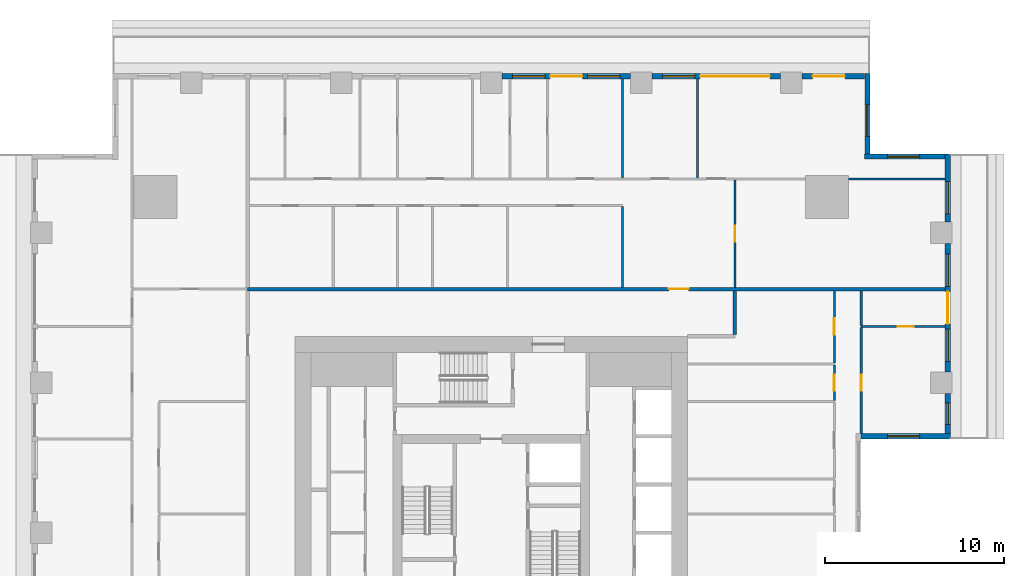
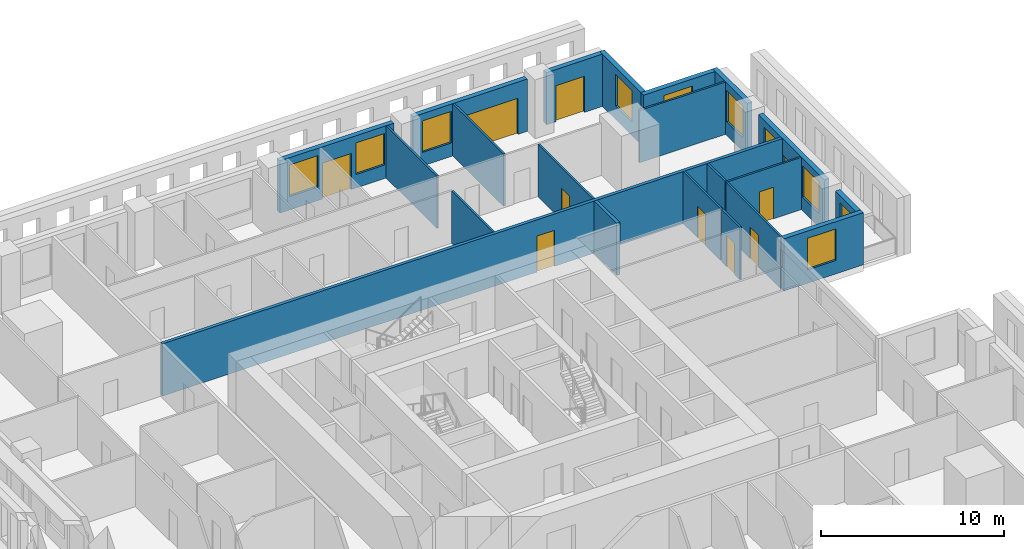
# One storey, part 8 of 15: 21 walls, 10 doors, 10 windows, 20 openings.
"""IFC4 building model written with IfcOpenShell, lengths in metres."""

from ifc_helpers import new_model, si_unit, direction, frame, frame_2d, origin, place, context, subcontext, project, spatial, rectangle, extrude, material, layer, layer_set, type_object, element, fill, save


model = new_model("IFC4")

# Units and contexts
model_context = context("Model", 3, precision=1e-05, world=origin(), true_north=direction((0.0, 1.0)))
body_context = subcontext(model_context, "Body", "Model", "MODEL_VIEW")
ifc_project = project(units=[si_unit("LENGTHUNIT", "METRE"), si_unit("AREAUNIT", "SQUARE_METRE"), si_unit("VOLUMEUNIT", "CUBIC_METRE"), si_unit("PLANEANGLEUNIT", "RADIAN"), si_unit("MASSUNIT", "GRAM", prefix="KILO")], contexts=[model_context])

# Site, building, storey
site_placement = place(None, origin())
site = spatial("IfcSite", under=ifc_project, at=site_placement, CompositionType="ELEMENT")
building_placement = place(site_placement, origin())
building = spatial("IfcBuilding", under=site, at=building_placement, Name="Khepri Terraces", CompositionType="ELEMENT")
storey_placement = place(building_placement, frame((0.0, 0.0, 200.10009765625)))
storey = spatial("IfcBuildingStorey", under=building, at=storey_placement, Name="L47", CompositionType="ELEMENT", Elevation=200.10009765625)

# Wall
ifc_material_1 = material(Name="Fire-rated gypsum plasterboard partition, mineral wool")
ifc_layer_1 = layer(ifc_material_1, 0.199951171875, Name="Fire-rated gypsum plasterboard partition, mineral wool")
ifc_layer_set_1 = layer_set([ifc_layer_1], Name="Fire-rated gypsum plasterboard partition, mineral wool")
wall_type_1 = type_object("IfcWallType", Name="WL-CORR-200", PredefinedType="PARTITIONING", material=ifc_layer_set_1)
wall_1_placement = place(storey_placement, frame((13.64990234375, 11.10009765625, 0.0), z_axis=(0.0, 0.0, 1.0), x_axis=(0.0, 1.0, 0.0)))
element("IfcWall", 1, at=wall_1_placement, inside=storey, type_object=wall_type_1, Name="Partition P-063 L47", PredefinedType="PARTITIONING", context=body_context, shape_type="SweptSolid", body=[
    extrude(rectangle(XDim=2.449951171875, YDim=0.199951171875, at=frame_2d((1.22509765625, 0.0))), origin(), (0.0, 0.0, 1.0), 3.47998046875),
])

# Wall, opening, door
wall_2_placement = place(storey_placement, frame((-13.64990234375, 13.64990234375, 0.0), z_axis=(0.0, 0.0, 1.0), x_axis=(1.0, 0.0, 0.0)))
wall_2 = element("IfcWall", 2, at=wall_2_placement, inside=storey, type_object=wall_type_1, Name="Partition P-069 L47", PredefinedType="PARTITIONING", context=body_context, shape_type="SweptSolid", body=[
    extrude(rectangle(XDim=39.06982421875, YDim=0.199951171875, at=frame_2d((19.534912109375, 0.0))), origin(), (0.0, 0.0, 1.0), 3.47998046875),
])
opening_1_placement = place(wall_2_placement, frame((23.60009765625, 0.0, 0.0)))
opening_1 = element("IfcOpeningElement", 3, at=opening_1_placement, cuts=wall_2, Name="Opening D1", PredefinedType="OPENING", context=body_context, shape_type="SweptSolid", body=[
    extrude(rectangle(XDim=1.10009765625, YDim=2.39990234375, at=frame_2d((0.550048828125, 1.199951171875))), frame((0.0, 0.10986328125, 0.0), z_axis=(0.0, -1.0, 0.0), x_axis=(1.0, 0.0, 0.0)), (0.0, 0.0, 1.0), 0.219970703125),
])
ifc_material_2 = material(Name="Solid-core timber door leaf, flat entrance door", Category="wood")
door_type_1 = type_object("IfcDoorType", Name="DR-ENT-1100", OperationType="NOTDEFINED", PredefinedType="DOOR", material=ifc_material_2)
door_1_placement = place(opening_1_placement, origin())
door_1 = element("IfcDoor", 4, at=door_1_placement, inside=storey, type_object=door_type_1, Name="Flat C1 entrance door", OperationType="SINGLE_SWING_RIGHT", OverallHeight=2.39990234375, OverallWidth=1.10009765625, PredefinedType="DOOR", context=body_context, shape_type="SweptSolid", body=[
    extrude(rectangle(XDim=1.10009765625, YDim=2.39990234375, at=frame_2d((0.550048828125, 1.199951171875))), frame((0.0, 0.02490234375, 0.0), z_axis=(0.0, -1.0, 0.0), x_axis=(1.0, 0.0, 0.0)), (0.0, 0.0, 1.0), 0.050048828125),
])
fill(opening_1, door_1)

# Wall, opening, window
ifc_material_3 = material(Name="Precast concrete C50/60 warm stone", Category="masonry")
ifc_layer_2 = layer(ifc_material_3, 0.300048828125, Name="Precast concrete C50/60 warm stone", Category="masonry")
ifc_layer_set_2 = layer_set([ifc_layer_2], Name="Precast concrete C50/60 warm stone")
wall_type_2 = type_object("IfcWallType", Name="WL-EXT-PRECAST-300", PredefinedType="STANDARD", material=ifc_layer_set_2)
wall_3_placement = place(storey_placement, frame((20.719970703125, 5.39990234375, 0.0), z_axis=(0.0, 0.0, 1.0), x_axis=(1.0, 0.0, 0.0)))
wall_3 = element("IfcWall", 5, at=wall_3_placement, inside=storey, type_object=wall_type_2, Name="External wall L47 S", PredefinedType="STANDARD", context=body_context, shape_type="SweptSolid", body=[
    extrude(rectangle(XDim=5.0, YDim=0.300048828125, at=frame_2d((2.5, 0.0))), origin(), (0.0, 0.0, 1.0), 3.47998046875),
])
opening_2_placement = place(wall_3_placement, frame((1.47998046875, 0.0, 0.89990234375)))
opening_2 = element("IfcOpeningElement", 6, at=opening_2_placement, cuts=wall_3, Name="Opening W1", PredefinedType="OPENING", context=body_context, shape_type="SweptSolid", body=[
    extrude(rectangle(XDim=1.800048828125, YDim=2.10009765625, at=frame_2d((0.89990234375, 1.050048828125))), frame((0.0, 0.16015625, 0.0), z_axis=(0.0, -1.0, 0.0), x_axis=(1.0, 0.0, 0.0)), (0.0, 0.0, 1.0), 0.320068359375),
])
ifc_material_4 = material(Name="Clear glass", Category="glass")
window_type_1 = type_object("IfcWindowType", Name="WIN-RES-1800x2100", PartitioningType="SINGLE_PANEL", PredefinedType="WINDOW", material=ifc_material_4)
window_1_placement = place(opening_2_placement, origin())
window_1 = element("IfcWindow", 7, at=window_1_placement, inside=storey, type_object=window_type_1, Name="Window L47 S", OverallHeight=2.10009765625, OverallWidth=1.800048828125, PartitioningType="SINGLE_PANEL", PredefinedType="WINDOW", context=body_context, shape_type="SweptSolid", body=[
    extrude(rectangle(XDim=1.800048828125, YDim=2.10009765625, at=frame_2d((0.89990234375, 1.050048828125))), frame((0.0, 0.030029296875, 0.0), z_axis=(0.0, -1.0, 0.0), x_axis=(1.0, 0.0, 0.0)), (0.0, 0.0, 1.0), 0.06005859375),
])
fill(opening_2, window_1)

wall_4_placement = place(storey_placement, frame((25.570068359375, 5.550048828125, 0.0), z_axis=(0.0, 0.0, 1.0), x_axis=(0.0, 1.0, 0.0)))
wall_4 = element("IfcWall", 8, at=wall_4_placement, inside=storey, type_object=wall_type_2, Name="External wall L47 E", PredefinedType="STANDARD", context=body_context, shape_type="SweptSolid", body=[
    extrude(rectangle(XDim=2.25, YDim=0.300048828125, at=frame_2d((1.125, 0.0))), origin(), (0.0, 0.0, 1.0), 3.47998046875),
])
opening_3_placement = place(wall_4_placement, frame((0.52490234375, 0.0, 0.89990234375)))
opening_3 = element("IfcOpeningElement", 9, at=opening_3_placement, cuts=wall_4, Name="Opening W4", PredefinedType="OPENING", context=body_context, shape_type="SweptSolid", body=[
    extrude(rectangle(XDim=1.199951171875, YDim=2.10009765625, at=frame_2d((0.60009765625, 1.050048828125))), frame((0.0, 0.16015625, 0.0), z_axis=(0.0, -1.0, 0.0), x_axis=(1.0, 0.0, 0.0)), (0.0, 0.0, 1.0), 0.320068359375),
])
window_type_2 = type_object("IfcWindowType", Name="WIN-RES-1200x2100", PartitioningType="SINGLE_PANEL", PredefinedType="WINDOW", material=ifc_material_4)
window_2_placement = place(opening_3_placement, origin())
window_2 = element("IfcWindow", 10, at=window_2_placement, inside=storey, type_object=window_type_2, Name="Window L47 E", OverallHeight=2.10009765625, OverallWidth=1.199951171875, PartitioningType="SINGLE_PANEL", PredefinedType="WINDOW", context=body_context, shape_type="SweptSolid", body=[
    extrude(rectangle(XDim=1.199951171875, YDim=2.10009765625, at=frame_2d((0.60009765625, 1.050048828125))), frame((0.0, 0.030029296875, 0.0), z_axis=(0.0, -1.0, 0.0), x_axis=(1.0, 0.0, 0.0)), (0.0, 0.0, 1.0), 0.06005859375),
])
fill(opening_3, window_2)

# Wall, openings, door, windows
wall_5_placement = place(storey_placement, frame((25.570068359375, 9.0, 0.0), z_axis=(0.0, 0.0, 1.0), x_axis=(0.0, 1.0, 0.0)))
wall_5 = element("IfcWall", 11, at=wall_5_placement, inside=storey, type_object=wall_type_2, Name="External wall L47 E", PredefinedType="STANDARD", context=body_context, shape_type="SweptSolid", body=[
    extrude(rectangle(XDim=7.199951171875, YDim=0.300048828125, at=frame_2d((3.60009765625, 0.0))), origin(), (0.0, 0.0, 1.0), 3.47998046875),
])
opening_4_placement = place(wall_5_placement, frame((0.60009765625, 0.0, 0.89990234375)))
opening_4 = element("IfcOpeningElement", 12, at=opening_4_placement, cuts=wall_5, Name="Opening W1", PredefinedType="OPENING", context=body_context, shape_type="SweptSolid", body=[
    extrude(rectangle(XDim=1.800048828125, YDim=2.10009765625, at=frame_2d((0.89990234375, 1.050048828125))), frame((0.0, 0.16015625, 0.0), z_axis=(0.0, -1.0, 0.0), x_axis=(1.0, 0.0, 0.0)), (0.0, 0.0, 1.0), 0.320068359375),
])
opening_5_placement = place(wall_5_placement, frame((2.699951171875, 0.0, 0.0)))
opening_5 = element("IfcOpeningElement", 13, at=opening_5_placement, cuts=wall_5, Name="Opening ED-L47-05", PredefinedType="OPENING", context=body_context, shape_type="SweptSolid", body=[
    extrude(rectangle(XDim=1.800048828125, YDim=2.39990234375, at=frame_2d((0.89990234375, 1.199951171875))), frame((0.0, 0.16015625, 0.0), z_axis=(0.0, -1.0, 0.0), x_axis=(1.0, 0.0, 0.0)), (0.0, 0.0, 1.0), 0.320068359375),
])
opening_6_placement = place(wall_5_placement, frame((4.800048828125, 0.0, 0.89990234375)))
opening_6 = element("IfcOpeningElement", 14, at=opening_6_placement, cuts=wall_5, Name="Opening W1", PredefinedType="OPENING", context=body_context, shape_type="SweptSolid", body=[
    extrude(rectangle(XDim=1.800048828125, YDim=2.10009765625, at=frame_2d((0.89990234375, 1.050048828125))), frame((0.0, 0.16015625, 0.0), z_axis=(0.0, -1.0, 0.0), x_axis=(1.0, 0.0, 0.0)), (0.0, 0.0, 1.0), 0.320068359375),
])
ifc_material_5 = material(Name="Anodised aluminium bronze glazed door", Category="aluminium")
door_type_2 = type_object("IfcDoorType", Name="DR-BAL-SLIDE-1800x2400", OperationType="NOTDEFINED", PredefinedType="DOOR", material=ifc_material_5)
door_2_placement = place(opening_5_placement, origin())
door_2 = element("IfcDoor", 15, at=door_2_placement, inside=storey, type_object=door_type_2, Name="Balcony door L47 E", OperationType="SLIDING_TO_RIGHT", OverallHeight=2.39990234375, OverallWidth=1.800048828125, PredefinedType="DOOR", context=body_context, shape_type="SweptSolid", body=[
    extrude(rectangle(XDim=1.800048828125, YDim=2.39990234375, at=frame_2d((0.89990234375, 1.199951171875))), frame((0.0, 0.02490234375, 0.0), z_axis=(0.0, -1.0, 0.0), x_axis=(1.0, 0.0, 0.0)), (0.0, 0.0, 1.0), 0.050048828125),
])
fill(opening_5, door_2)
window_3_placement = place(opening_4_placement, origin())
window_3 = element("IfcWindow", 16, at=window_3_placement, inside=storey, type_object=window_type_1, Name="Window L47 E", OverallHeight=2.10009765625, OverallWidth=1.800048828125, PartitioningType="SINGLE_PANEL", PredefinedType="WINDOW", context=body_context, shape_type="SweptSolid", body=[
    extrude(rectangle(XDim=1.800048828125, YDim=2.10009765625, at=frame_2d((0.89990234375, 1.050048828125))), frame((0.0, 0.030029296875, 0.0), z_axis=(0.0, -1.0, 0.0), x_axis=(1.0, 0.0, 0.0)), (0.0, 0.0, 1.0), 0.06005859375),
])
fill(opening_4, window_3)
window_4_placement = place(opening_6_placement, origin())
window_4 = element("IfcWindow", 17, at=window_4_placement, inside=storey, type_object=window_type_1, Name="Window L47 E", OverallHeight=2.10009765625, OverallWidth=1.800048828125, PartitioningType="SINGLE_PANEL", PredefinedType="WINDOW", context=body_context, shape_type="SweptSolid", body=[
    extrude(rectangle(XDim=1.800048828125, YDim=2.10009765625, at=frame_2d((0.89990234375, 1.050048828125))), frame((0.0, 0.030029296875, 0.0), z_axis=(0.0, -1.0, 0.0), x_axis=(1.0, 0.0, 0.0)), (0.0, 0.0, 1.0), 0.06005859375),
])
fill(opening_6, window_4)

# Wall, opening, window
wall_6_placement = place(storey_placement, frame((25.570068359375, 17.39990234375, 0.0), z_axis=(0.0, 0.0, 1.0), x_axis=(0.0, 1.0, 0.0)))
wall_6 = element("IfcWall", 18, at=wall_6_placement, inside=storey, type_object=wall_type_2, Name="External wall L47 E", PredefinedType="STANDARD", context=body_context, shape_type="SweptSolid", body=[
    extrude(rectangle(XDim=3.820068359375, YDim=0.300048828125, at=frame_2d((1.91015625, 0.0))), origin(), (0.0, 0.0, 1.0), 3.47998046875),
])
opening_7_placement = place(wall_6_placement, frame((0.4599609375, 0.0, 0.89990234375)))
opening_7 = element("IfcOpeningElement", 19, at=opening_7_placement, cuts=wall_6, Name="Opening W1", PredefinedType="OPENING", context=body_context, shape_type="SweptSolid", body=[
    extrude(rectangle(XDim=1.800048828125, YDim=2.10009765625, at=frame_2d((0.89990234375, 1.050048828125))), frame((0.0, 0.16015625, 0.0), z_axis=(0.0, -1.0, 0.0), x_axis=(1.0, 0.0, 0.0)), (0.0, 0.0, 1.0), 0.320068359375),
])
window_5_placement = place(opening_7_placement, origin())
window_5 = element("IfcWindow", 20, at=window_5_placement, inside=storey, type_object=window_type_1, Name="Window L47 E", OverallHeight=2.10009765625, OverallWidth=1.800048828125, PartitioningType="SINGLE_PANEL", PredefinedType="WINDOW", context=body_context, shape_type="SweptSolid", body=[
    extrude(rectangle(XDim=1.800048828125, YDim=2.10009765625, at=frame_2d((0.89990234375, 1.050048828125))), frame((0.0, 0.030029296875, 0.0), z_axis=(0.0, -1.0, 0.0), x_axis=(1.0, 0.0, 0.0)), (0.0, 0.0, 1.0), 0.06005859375),
])
fill(opening_7, window_5)

wall_7_placement = place(storey_placement, frame((25.419921875, 21.070068359375, 0.0), z_axis=(0.0, 0.0, 1.0), x_axis=(-1.0, 0.0, 0.0)))
wall_7 = element("IfcWall", 21, at=wall_7_placement, inside=storey, type_object=wall_type_2, Name="External wall L47 N", PredefinedType="STANDARD", context=body_context, shape_type="SweptSolid", body=[
    extrude(rectangle(XDim=4.5, YDim=0.300048828125, at=frame_2d((2.25, 0.0))), origin(), (0.0, 0.0, 1.0), 3.47998046875),
])
opening_8_placement = place(wall_7_placement, frame((1.419921875, 0.0, 0.89990234375)))
opening_8 = element("IfcOpeningElement", 22, at=opening_8_placement, cuts=wall_7, Name="Opening W1", PredefinedType="OPENING", context=body_context, shape_type="SweptSolid", body=[
    extrude(rectangle(XDim=1.800048828125, YDim=2.10009765625, at=frame_2d((0.89990234375, 1.050048828125))), frame((0.0, 0.16015625, 0.0), z_axis=(0.0, -1.0, 0.0), x_axis=(1.0, 0.0, 0.0)), (0.0, 0.0, 1.0), 0.320068359375),
])
window_6_placement = place(opening_8_placement, origin())
window_6 = element("IfcWindow", 23, at=window_6_placement, inside=storey, type_object=window_type_1, Name="Window L47 N", OverallHeight=2.10009765625, OverallWidth=1.800048828125, PartitioningType="SINGLE_PANEL", PredefinedType="WINDOW", context=body_context, shape_type="SweptSolid", body=[
    extrude(rectangle(XDim=1.800048828125, YDim=2.10009765625, at=frame_2d((0.89990234375, 1.050048828125))), frame((0.0, 0.030029296875, 0.0), z_axis=(0.0, -1.0, 0.0), x_axis=(1.0, 0.0, 0.0)), (0.0, 0.0, 1.0), 0.06005859375),
])
fill(opening_8, window_6)

wall_8_placement = place(storey_placement, frame((21.070068359375, 21.219970703125, 0.0), z_axis=(0.0, 0.0, 1.0), x_axis=(0.0, 1.0, 0.0)))
wall_8 = element("IfcWall", 24, at=wall_8_placement, inside=storey, type_object=wall_type_2, Name="External wall L47 E", PredefinedType="STANDARD", context=body_context, shape_type="SweptSolid", body=[
    extrude(rectangle(XDim=4.5, YDim=0.300048828125, at=frame_2d((2.25, 0.0))), origin(), (0.0, 0.0, 1.0), 3.47998046875),
])
opening_9_placement = place(wall_8_placement, frame((0.97998046875, 0.0, 0.89990234375)))
opening_9 = element("IfcOpeningElement", 25, at=opening_9_placement, cuts=wall_8, Name="Opening W1", PredefinedType="OPENING", context=body_context, shape_type="SweptSolid", body=[
    extrude(rectangle(XDim=1.800048828125, YDim=2.10009765625, at=frame_2d((0.89990234375, 1.050048828125))), frame((0.0, 0.16015625, 0.0), z_axis=(0.0, -1.0, 0.0), x_axis=(1.0, 0.0, 0.0)), (0.0, 0.0, 1.0), 0.320068359375),
])
window_7_placement = place(opening_9_placement, origin())
window_7 = element("IfcWindow", 26, at=window_7_placement, inside=storey, type_object=window_type_1, Name="Window L47 E", OverallHeight=2.10009765625, OverallWidth=1.800048828125, PartitioningType="SINGLE_PANEL", PredefinedType="WINDOW", context=body_context, shape_type="SweptSolid", body=[
    extrude(rectangle(XDim=1.800048828125, YDim=2.10009765625, at=frame_2d((0.89990234375, 1.050048828125))), frame((0.0, 0.030029296875, 0.0), z_axis=(0.0, -1.0, 0.0), x_axis=(1.0, 0.0, 0.0)), (0.0, 0.0, 1.0), 0.06005859375),
])
fill(opening_9, window_7)

# Wall, opening, door
wall_9_placement = place(storey_placement, frame((20.919921875, 25.570068359375, 0.0), z_axis=(0.0, 0.0, 1.0), x_axis=(-1.0, 0.0, 0.0)))
wall_9 = element("IfcWall", 27, at=wall_9_placement, inside=storey, type_object=wall_type_2, Name="External wall L47 N", PredefinedType="STANDARD", context=body_context, shape_type="SweptSolid", body=[
    extrude(rectangle(XDim=3.52001953125, YDim=0.300048828125, at=frame_2d((1.760009765625, 0.0))), origin(), (0.0, 0.0, 1.0), 3.47998046875),
])
opening_10_placement = place(wall_9_placement, frame((1.1201171875, 0.0, 0.0)))
opening_10 = element("IfcOpeningElement", 28, at=opening_10_placement, cuts=wall_9, Name="Opening ED-L47-06", PredefinedType="OPENING", context=body_context, shape_type="SweptSolid", body=[
    extrude(rectangle(XDim=1.800048828125, YDim=2.39990234375, at=frame_2d((0.89990234375, 1.199951171875))), frame((0.0, 0.16015625, 0.0), z_axis=(0.0, -1.0, 0.0), x_axis=(1.0, 0.0, 0.0)), (0.0, 0.0, 1.0), 0.320068359375),
])
door_3_placement = place(opening_10_placement, origin())
door_3 = element("IfcDoor", 29, at=door_3_placement, inside=storey, type_object=door_type_2, Name="Balcony door L47 N", OperationType="SLIDING_TO_RIGHT", OverallHeight=2.39990234375, OverallWidth=1.800048828125, PredefinedType="DOOR", context=body_context, shape_type="SweptSolid", body=[
    extrude(rectangle(XDim=1.800048828125, YDim=2.39990234375, at=frame_2d((0.89990234375, 1.199951171875))), frame((0.0, 0.02490234375, 0.0), z_axis=(0.0, -1.0, 0.0), x_axis=(1.0, 0.0, 0.0)), (0.0, 0.0, 1.0), 0.050048828125),
])
fill(opening_10, door_3)

# Wall, openings, door, window
wall_10_placement = place(storey_placement, frame((16.199951171875, 25.570068359375, 0.0), z_axis=(0.0, 0.0, 1.0), x_axis=(-1.0, 0.0, 0.0)))
wall_10 = element("IfcWall", 30, at=wall_10_placement, inside=storey, type_object=wall_type_2, Name="External wall L47 N", PredefinedType="STANDARD", context=body_context, shape_type="SweptSolid", body=[
    extrude(rectangle(XDim=7.199951171875, YDim=0.300048828125, at=frame_2d((3.60009765625, 0.0))), origin(), (0.0, 0.0, 1.0), 3.47998046875),
])
opening_11_placement = place(wall_10_placement, frame((0.60009765625, 0.0, 0.0)))
opening_11 = element("IfcOpeningElement", 31, at=opening_11_placement, cuts=wall_10, Name="Opening ED-L47-07", PredefinedType="OPENING", context=body_context, shape_type="SweptSolid", body=[
    extrude(rectangle(XDim=3.89990234375, YDim=2.39990234375, at=frame_2d((1.949951171875, 1.199951171875))), frame((0.0, 0.16015625, 0.0), z_axis=(0.0, -1.0, 0.0), x_axis=(1.0, 0.0, 0.0)), (0.0, 0.0, 1.0), 0.320068359375),
])
opening_12_placement = place(wall_10_placement, frame((4.800048828125, 0.0, 0.89990234375)))
opening_12 = element("IfcOpeningElement", 32, at=opening_12_placement, cuts=wall_10, Name="Opening W1", PredefinedType="OPENING", context=body_context, shape_type="SweptSolid", body=[
    extrude(rectangle(XDim=1.800048828125, YDim=2.10009765625, at=frame_2d((0.89990234375, 1.050048828125))), frame((0.0, 0.16015625, 0.0), z_axis=(0.0, -1.0, 0.0), x_axis=(1.0, 0.0, 0.0)), (0.0, 0.0, 1.0), 0.320068359375),
])
door_type_3 = type_object("IfcDoorType", Name="DR-BAL-SLIDE-3900x2400", OperationType="NOTDEFINED", PredefinedType="DOOR", material=ifc_material_5)
door_4_placement = place(opening_11_placement, origin())
door_4 = element("IfcDoor", 33, at=door_4_placement, inside=storey, type_object=door_type_3, Name="Balcony door L47 N", OperationType="SLIDING_TO_LEFT", OverallHeight=2.39990234375, OverallWidth=3.89990234375, PredefinedType="DOOR", context=body_context, shape_type="SweptSolid", body=[
    extrude(rectangle(XDim=3.89990234375, YDim=2.39990234375, at=frame_2d((1.949951171875, 1.199951171875))), frame((0.0, 0.02490234375, 0.0), z_axis=(0.0, -1.0, 0.0), x_axis=(1.0, 0.0, 0.0)), (0.0, 0.0, 1.0), 0.050048828125),
])
fill(opening_11, door_4)
window_8_placement = place(opening_12_placement, origin())
window_8 = element("IfcWindow", 34, at=window_8_placement, inside=storey, type_object=window_type_1, Name="Window L47 N", OverallHeight=2.10009765625, OverallWidth=1.800048828125, PartitioningType="SINGLE_PANEL", PredefinedType="WINDOW", context=body_context, shape_type="SweptSolid", body=[
    extrude(rectangle(XDim=1.800048828125, YDim=2.10009765625, at=frame_2d((0.89990234375, 1.050048828125))), frame((0.0, 0.030029296875, 0.0), z_axis=(0.0, -1.0, 0.0), x_axis=(1.0, 0.0, 0.0)), (0.0, 0.0, 1.0), 0.06005859375),
])
fill(opening_12, window_8)

# Wall, openings, door, windows
wall_11_placement = place(storey_placement, frame((7.800048828125, 25.570068359375, 0.0), z_axis=(0.0, 0.0, 1.0), x_axis=(-1.0, 0.0, 0.0)))
wall_11 = element("IfcWall", 35, at=wall_11_placement, inside=storey, type_object=wall_type_2, Name="External wall L47 N", PredefinedType="STANDARD", context=body_context, shape_type="SweptSolid", body=[
    extrude(rectangle(XDim=7.199951171875, YDim=0.300048828125, at=frame_2d((3.60009765625, 0.0))), origin(), (0.0, 0.0, 1.0), 3.47998046875),
])
opening_13_placement = place(wall_11_placement, frame((0.60009765625, 0.0, 0.89990234375)))
opening_13 = element("IfcOpeningElement", 36, at=opening_13_placement, cuts=wall_11, Name="Opening W1", PredefinedType="OPENING", context=body_context, shape_type="SweptSolid", body=[
    extrude(rectangle(XDim=1.800048828125, YDim=2.10009765625, at=frame_2d((0.89990234375, 1.050048828125))), frame((0.0, 0.16015625, 0.0), z_axis=(0.0, -1.0, 0.0), x_axis=(1.0, 0.0, 0.0)), (0.0, 0.0, 1.0), 0.320068359375),
])
opening_14_placement = place(wall_11_placement, frame((2.699951171875, 0.0, 0.0)))
opening_14 = element("IfcOpeningElement", 37, at=opening_14_placement, cuts=wall_11, Name="Opening ED-L47-08", PredefinedType="OPENING", context=body_context, shape_type="SweptSolid", body=[
    extrude(rectangle(XDim=1.800048828125, YDim=2.39990234375, at=frame_2d((0.89990234375, 1.199951171875))), frame((0.0, 0.16015625, 0.0), z_axis=(0.0, -1.0, 0.0), x_axis=(1.0, 0.0, 0.0)), (0.0, 0.0, 1.0), 0.320068359375),
])
opening_15_placement = place(wall_11_placement, frame((4.800048828125, 0.0, 0.89990234375)))
opening_15 = element("IfcOpeningElement", 38, at=opening_15_placement, cuts=wall_11, Name="Opening W1", PredefinedType="OPENING", context=body_context, shape_type="SweptSolid", body=[
    extrude(rectangle(XDim=1.800048828125, YDim=2.10009765625, at=frame_2d((0.89990234375, 1.050048828125))), frame((0.0, 0.16015625, 0.0), z_axis=(0.0, -1.0, 0.0), x_axis=(1.0, 0.0, 0.0)), (0.0, 0.0, 1.0), 0.320068359375),
])
door_5_placement = place(opening_14_placement, origin())
door_5 = element("IfcDoor", 39, at=door_5_placement, inside=storey, type_object=door_type_2, Name="Balcony door L47 N", OperationType="SLIDING_TO_LEFT", OverallHeight=2.39990234375, OverallWidth=1.800048828125, PredefinedType="DOOR", context=body_context, shape_type="SweptSolid", body=[
    extrude(rectangle(XDim=1.800048828125, YDim=2.39990234375, at=frame_2d((0.89990234375, 1.199951171875))), frame((0.0, 0.02490234375, 0.0), z_axis=(0.0, -1.0, 0.0), x_axis=(1.0, 0.0, 0.0)), (0.0, 0.0, 1.0), 0.050048828125),
])
fill(opening_14, door_5)
window_9_placement = place(opening_13_placement, origin())
window_9 = element("IfcWindow", 40, at=window_9_placement, inside=storey, type_object=window_type_1, Name="Window L47 N", OverallHeight=2.10009765625, OverallWidth=1.800048828125, PartitioningType="SINGLE_PANEL", PredefinedType="WINDOW", context=body_context, shape_type="SweptSolid", body=[
    extrude(rectangle(XDim=1.800048828125, YDim=2.10009765625, at=frame_2d((0.89990234375, 1.050048828125))), frame((0.0, 0.030029296875, 0.0), z_axis=(0.0, -1.0, 0.0), x_axis=(1.0, 0.0, 0.0)), (0.0, 0.0, 1.0), 0.06005859375),
])
fill(opening_13, window_9)
window_10_placement = place(opening_15_placement, origin())
window_10 = element("IfcWindow", 41, at=window_10_placement, inside=storey, type_object=window_type_1, Name="Window L47 N", OverallHeight=2.10009765625, OverallWidth=1.800048828125, PartitioningType="SINGLE_PANEL", PredefinedType="WINDOW", context=body_context, shape_type="SweptSolid", body=[
    extrude(rectangle(XDim=1.800048828125, YDim=2.10009765625, at=frame_2d((0.89990234375, 1.050048828125))), frame((0.0, 0.030029296875, 0.0), z_axis=(0.0, -1.0, 0.0), x_axis=(1.0, 0.0, 0.0)), (0.0, 0.0, 1.0), 0.06005859375),
])
fill(opening_15, window_10)

# Wall, opening, door
ifc_material_6 = material(Name="Gypsum plasterboard partition")
ifc_layer_3 = layer(ifc_material_6, 0.1201171875, Name="Gypsum plasterboard partition")
ifc_layer_set_3 = layer_set([ifc_layer_3], Name="Gypsum plasterboard partition")
wall_type_3 = type_object("IfcWallType", Name="WL-PART-120", PredefinedType="PARTITIONING", material=ifc_layer_set_3)
wall_12_placement = place(storey_placement, frame((20.719970703125, 5.550048828125, 0.0), z_axis=(0.0, 0.0, 1.0), x_axis=(0.0, 1.0, 0.0)))
wall_12 = element("IfcWall", 42, at=wall_12_placement, inside=storey, type_object=wall_type_3, Name="Partition P-055 L47", PredefinedType="PARTITIONING", context=body_context, shape_type="SweptSolid", body=[
    extrude(rectangle(XDim=5.93994140625, YDim=0.1201171875, at=frame_2d((2.969970703125, 0.0))), origin(), (0.0, 0.0, 1.0), 3.47998046875),
])
opening_16_placement = place(wall_12_placement, frame((2.39990234375, 0.0, 0.0)))
opening_16 = element("IfcOpeningElement", 43, at=opening_16_placement, cuts=wall_12, Name="Opening D3", PredefinedType="OPENING", context=body_context, shape_type="SweptSolid", body=[
    extrude(rectangle(XDim=0.89990234375, YDim=2.10009765625, at=frame_2d((0.449951171875, 1.050048828125))), frame((0.0, 0.070068359375, 0.0), z_axis=(0.0, -1.0, 0.0), x_axis=(1.0, 0.0, 0.0)), (0.0, 0.0, 1.0), 0.14013671875),
])
ifc_material_7 = material(Name="Timber door leaf", Category="wood")
door_type_4 = type_object("IfcDoorType", Name="DR-INT-900", OperationType="NOTDEFINED", PredefinedType="DOOR", material=ifc_material_7)
door_6_placement = place(opening_16_placement, frame((0.89990234375, 0.0, 0.0), z_axis=(0.0, 0.0, 1.0), x_axis=(-1.0, 0.0, 0.0)))
door_6 = element("IfcDoor", 44, at=door_6_placement, inside=storey, type_object=door_type_4, Name="Door Bedroom", OperationType="SINGLE_SWING_RIGHT", OverallHeight=2.10009765625, OverallWidth=0.89990234375, PredefinedType="DOOR", context=body_context, shape_type="SweptSolid", body=[
    extrude(rectangle(XDim=0.89990234375, YDim=2.10009765625, at=frame_2d((0.449951171875, 1.050048828125))), frame((0.0, 0.02490234375, 0.0), z_axis=(0.0, -1.0, 0.0), x_axis=(1.0, 0.0, 0.0)), (0.0, 0.0, 1.0), 0.050048828125),
])
fill(opening_16, door_6)

wall_13_placement = place(storey_placement, frame((19.219970703125, 7.409912109375, 0.0), z_axis=(0.0, 0.0, 1.0), x_axis=(0.0, 1.0, 0.0)))
wall_13 = element("IfcWall", 45, at=wall_13_placement, inside=storey, type_object=wall_type_3, Name="Partition P-059 L47", PredefinedType="PARTITIONING", context=body_context, shape_type="SweptSolid", body=[
    extrude(rectangle(XDim=1.97998046875, YDim=0.1201171875, at=frame_2d((0.989990234375, 0.0))), origin(), (0.0, 0.0, 1.0), 3.47998046875),
])
opening_17_placement = place(wall_13_placement, frame((0.5400390625, 0.0, 0.0)))
opening_17 = element("IfcOpeningElement", 46, at=opening_17_placement, cuts=wall_13, Name="Opening D4", PredefinedType="OPENING", context=body_context, shape_type="SweptSolid", body=[
    extrude(rectangle(XDim=0.89990234375, YDim=2.10009765625, at=frame_2d((0.449951171875, 1.050048828125))), frame((0.0, 0.070068359375, 0.0), z_axis=(0.0, -1.0, 0.0), x_axis=(1.0, 0.0, 0.0)), (0.0, 0.0, 1.0), 0.14013671875),
])
ifc_material_8 = material(Name="Timber door leaf, moisture resistant", Category="wood")
door_type_5 = type_object("IfcDoorType", Name="DR-WET-900", OperationType="NOTDEFINED", PredefinedType="DOOR", material=ifc_material_8)
door_7_placement = place(opening_17_placement, origin())
door_7 = element("IfcDoor", 47, at=door_7_placement, inside=storey, type_object=door_type_5, Name="Door Guest Bathroom", OperationType="SINGLE_SWING_LEFT", OverallHeight=2.10009765625, OverallWidth=0.89990234375, PredefinedType="DOOR", context=body_context, shape_type="SweptSolid", body=[
    extrude(rectangle(XDim=0.89990234375, YDim=2.10009765625, at=frame_2d((0.449951171875, 1.050048828125))), frame((0.0, 0.02490234375, 0.0), z_axis=(0.0, -1.0, 0.0), x_axis=(1.0, 0.0, 0.0)), (0.0, 0.0, 1.0), 0.050048828125),
])
fill(opening_17, door_7)

wall_14_placement = place(storey_placement, frame((19.219970703125, 9.510009765625, 0.0), z_axis=(0.0, 0.0, 1.0), x_axis=(0.0, 1.0, 0.0)))
wall_14 = element("IfcWall", 48, at=wall_14_placement, inside=storey, type_object=wall_type_3, Name="Partition P-061 L47", PredefinedType="PARTITIONING", context=body_context, shape_type="SweptSolid", body=[
    extrude(rectangle(XDim=4.0400390625, YDim=0.1201171875, at=frame_2d((2.02001953125, 0.0))), origin(), (0.0, 0.0, 1.0), 3.47998046875),
])
opening_18_placement = place(wall_14_placement, frame((1.590087890625, 0.0, 0.0)))
opening_18 = element("IfcOpeningElement", 49, at=opening_18_placement, cuts=wall_14, Name="Opening D3", PredefinedType="OPENING", context=body_context, shape_type="SweptSolid", body=[
    extrude(rectangle(XDim=0.89990234375, YDim=2.10009765625, at=frame_2d((0.449951171875, 1.050048828125))), frame((0.0, 0.070068359375, 0.0), z_axis=(0.0, -1.0, 0.0), x_axis=(1.0, 0.0, 0.0)), (0.0, 0.0, 1.0), 0.14013671875),
])
door_8_placement = place(opening_18_placement, origin())
door_8 = element("IfcDoor", 50, at=door_8_placement, inside=storey, type_object=door_type_4, Name="Door Library", OperationType="SINGLE_SWING_RIGHT", OverallHeight=2.10009765625, OverallWidth=0.89990234375, PredefinedType="DOOR", context=body_context, shape_type="SweptSolid", body=[
    extrude(rectangle(XDim=0.89990234375, YDim=2.10009765625, at=frame_2d((0.449951171875, 1.050048828125))), frame((0.0, 0.02490234375, 0.0), z_axis=(0.0, -1.0, 0.0), x_axis=(1.0, 0.0, 0.0)), (0.0, 0.0, 1.0), 0.050048828125),
])
fill(opening_18, door_8)

wall_15_placement = place(storey_placement, frame((20.719970703125, 11.550048828125, 0.0), z_axis=(0.0, 0.0, 1.0), x_axis=(1.0, 0.0, 0.0)))
wall_15 = element("IfcWall", 51, at=wall_15_placement, inside=storey, type_object=wall_type_3, Name="Partition P-065 L47", PredefinedType="PARTITIONING", context=body_context, shape_type="SweptSolid", body=[
    extrude(rectangle(XDim=4.699951171875, YDim=0.1201171875, at=frame_2d((2.35009765625, 0.0))), origin(), (0.0, 0.0, 1.0), 3.47998046875),
])
opening_19_placement = place(wall_15_placement, frame((2.050048828125, 0.0, 0.0)))
opening_19 = element("IfcOpeningElement", 52, at=opening_19_placement, cuts=wall_15, Name="Opening D4", PredefinedType="OPENING", context=body_context, shape_type="SweptSolid", body=[
    extrude(rectangle(XDim=0.89990234375, YDim=2.10009765625, at=frame_2d((0.449951171875, 1.050048828125))), frame((0.0, 0.070068359375, 0.0), z_axis=(0.0, -1.0, 0.0), x_axis=(1.0, 0.0, 0.0)), (0.0, 0.0, 1.0), 0.14013671875),
])
door_9_placement = place(opening_19_placement, origin())
door_9 = element("IfcDoor", 53, at=door_9_placement, inside=storey, type_object=door_type_5, Name="Door Bathroom", OperationType="SINGLE_SWING_RIGHT", OverallHeight=2.10009765625, OverallWidth=0.89990234375, PredefinedType="DOOR", context=body_context, shape_type="SweptSolid", body=[
    extrude(rectangle(XDim=0.89990234375, YDim=2.10009765625, at=frame_2d((0.449951171875, 1.050048828125))), frame((0.0, 0.02490234375, 0.0), z_axis=(0.0, -1.0, 0.0), x_axis=(1.0, 0.0, 0.0)), (0.0, 0.0, 1.0), 0.050048828125),
])
fill(opening_19, door_9)

# Walls
wall_16_placement = place(storey_placement, frame((20.719970703125, 11.610107421875, 0.0), z_axis=(0.0, 0.0, 1.0), x_axis=(0.0, 1.0, 0.0)))
element("IfcWall", 54, at=wall_16_placement, inside=storey, type_object=wall_type_3, Name="Partition P-067 L47", PredefinedType="PARTITIONING", context=body_context, shape_type="SweptSolid", body=[
    extrude(rectangle(XDim=1.93994140625, YDim=0.1201171875, at=frame_2d((0.969970703125, 0.0))), origin(), (0.0, 0.0, 1.0), 3.47998046875),
])
wall_17_placement = place(storey_placement, frame((7.35009765625, 13.75, 0.0), z_axis=(0.0, 0.0, 1.0), x_axis=(0.0, 1.0, 0.0)))
element("IfcWall", 55, at=wall_17_placement, inside=storey, type_object=wall_type_3, Name="Partition P-076 L47", PredefinedType="PARTITIONING", context=body_context, shape_type="SweptSolid", body=[
    extrude(rectangle(XDim=4.510009765625, YDim=0.1201171875, at=frame_2d((2.2548828125, 0.0))), origin(), (0.0, 0.0, 1.0), 3.47998046875),
])

# Wall, opening, door
wall_18_placement = place(storey_placement, frame((13.64990234375, 13.75, 0.0), z_axis=(0.0, 0.0, 1.0), x_axis=(0.0, 1.0, 0.0)))
wall_18 = element("IfcWall", 56, at=wall_18_placement, inside=storey, type_object=wall_type_3, Name="Partition P-077 L47", PredefinedType="PARTITIONING", context=body_context, shape_type="SweptSolid", body=[
    extrude(rectangle(XDim=6.010009765625, YDim=0.1201171875, at=frame_2d((3.0048828125, 0.0))), origin(), (0.0, 0.0, 1.0), 3.47998046875),
])
opening_20_placement = place(wall_18_placement, frame((2.534912109375, 0.0, 0.0)))
opening_20 = element("IfcOpeningElement", 57, at=opening_20_placement, cuts=wall_18, Name="Opening D3", PredefinedType="OPENING", context=body_context, shape_type="SweptSolid", body=[
    extrude(rectangle(XDim=0.89990234375, YDim=2.10009765625, at=frame_2d((0.449951171875, 1.050048828125))), frame((0.0, 0.070068359375, 0.0), z_axis=(0.0, -1.0, 0.0), x_axis=(1.0, 0.0, 0.0)), (0.0, 0.0, 1.0), 0.14013671875),
])
door_10_placement = place(opening_20_placement, frame((0.89990234375, 0.0, 0.0), z_axis=(0.0, 0.0, 1.0), x_axis=(-1.0, 0.0, 0.0)))
door_10 = element("IfcDoor", 58, at=door_10_placement, inside=storey, type_object=door_type_4, Name="Door Library", OperationType="SINGLE_SWING_RIGHT", OverallHeight=2.10009765625, OverallWidth=0.89990234375, PredefinedType="DOOR", context=body_context, shape_type="SweptSolid", body=[
    extrude(rectangle(XDim=0.89990234375, YDim=2.10009765625, at=frame_2d((0.449951171875, 1.050048828125))), frame((0.0, 0.02490234375, 0.0), z_axis=(0.0, -1.0, 0.0), x_axis=(1.0, 0.0, 0.0)), (0.0, 0.0, 1.0), 0.050048828125),
])
fill(opening_20, door_10)

# Walls
wall_19_placement = place(storey_placement, frame((20.0, 19.820068359375, 0.0), z_axis=(0.0, 0.0, 1.0), x_axis=(1.0, 0.0, 0.0)))
element("IfcWall", 59, at=wall_19_placement, inside=storey, type_object=wall_type_3, Name="Partition P-080 L47", PredefinedType="PARTITIONING", context=body_context, shape_type="SweptSolid", body=[
    extrude(rectangle(XDim=5.419921875, YDim=0.1201171875, at=frame_2d((2.7099609375, 0.0))), origin(), (0.0, 0.0, 1.0), 3.47998046875),
])
for number, where, z_axis, x_axis, name in (
    (60, (7.35009765625, 19.8798828125, 0.0), (0.0, 0.0, 1.0), (0.0, 1.0, 0.0), "Partition P-087 L47"),
    (61, (11.550048828125, 19.8798828125, 0.0), (0.0, 0.0, 1.0), (0.0, 1.0, 0.0), "Partition P-088 L47"),
):
    element("IfcWall", number, at=place(storey_placement, frame(where, z_axis=z_axis, x_axis=x_axis)), inside=storey, type_object=wall_type_3, Name=name, PredefinedType="PARTITIONING", context=body_context, shape_type="SweptSolid", body=[
        extrude(rectangle(XDim=5.5400390625, YDim=0.1201171875, at=frame_2d((2.77001953125, 0.0))), origin(), (0.0, 0.0, 1.0), 3.47998046875),
    ])

save(model, "model.ifc")
